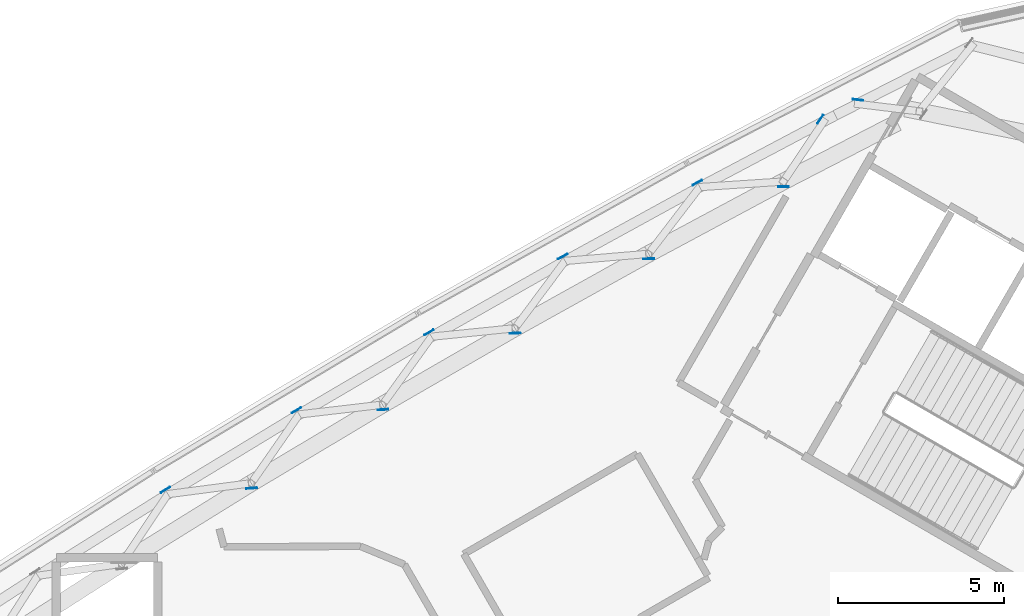
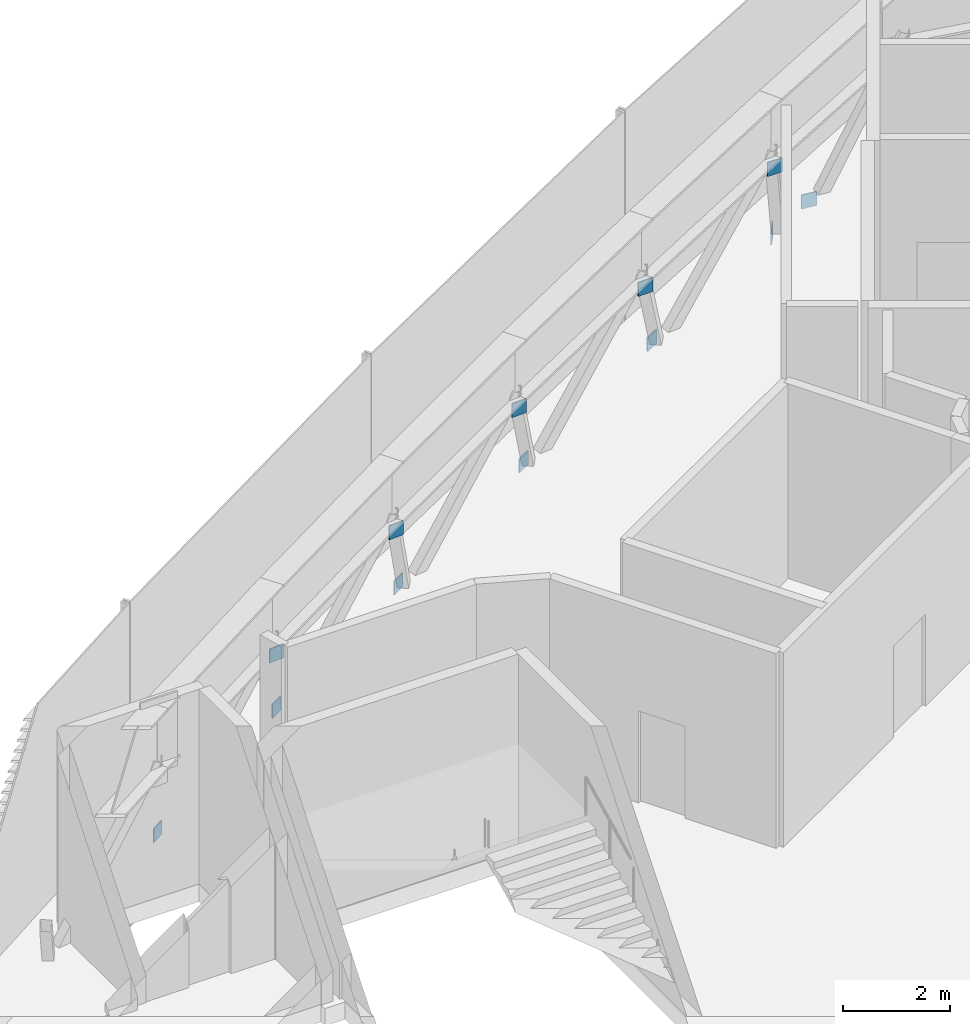
# One storey, part 10 of 18: 12 plates.
"""IFC4 building model written with IfcOpenShell, lengths in metres."""

from ifc_helpers import new_model, si_unit, direction, frame, origin, origin_2d, place, context, subcontext, project, spatial, rectangle, extrude, material, layer, layer_set, type_object, element, save


model = new_model("IFC4")

# Units and contexts
model_context = context("Model", 3, precision=1e-05, world=origin(), true_north=direction((0.0, 1.0)))
body_context = subcontext(model_context, "Body", "Model", "MODEL_VIEW")
ifc_project = project(units=[si_unit("LENGTHUNIT", "METRE"), si_unit("AREAUNIT", "SQUARE_METRE"), si_unit("VOLUMEUNIT", "CUBIC_METRE"), si_unit("PLANEANGLEUNIT", "RADIAN"), si_unit("MASSUNIT", "GRAM", prefix="KILO")], contexts=[model_context])

# Site, building, storey
site_placement = place(None, origin())
site = spatial("IfcSite", under=ifc_project, at=site_placement, CompositionType="ELEMENT")
building_placement = place(site_placement, origin())
building = spatial("IfcBuilding", under=site, at=building_placement, Name="Tamra Quay Hotel Tower", CompositionType="ELEMENT")
storey_placement = place(building_placement, frame((0.0, 0.0, 257.39990234375)))
storey = spatial("IfcBuildingStorey", under=building, at=storey_placement, Name="L65", CompositionType="ELEMENT", Elevation=257.39990234375)

# Plates
ifc_material = material(Name="Structural steel IS 2062 E350", Category="steel")
ifc_layer = layer(ifc_material, 0.02490234375)
ifc_layer_set = layer_set([ifc_layer], Name="BRACE END PLATE 25")
plate_type = type_object("IfcPlateType", Name="BRACE END PLATE 25", PredefinedType="SHEET", material=ifc_layer_set)
for number, where, z_axis, x_axis, name in (
    (1, (-0.326904296875, 19.0751953125, -0.39990234375), (0.0, 0.0, 1.0), (-0.472061555739, 0.881565588935, 0.0), "BEP-L65-010"),
    (2, (-4.385009765625, 16.85009765625, -0.39990234375), (0.0, 0.0, 1.0), (-0.48611423692, 0.873895273281, 0.0), "BEP-L65-011"),
    (3, (-8.40966796875, 14.56591796875, -0.39990234375), (0.0, 0.0, 1.0), (-0.499995465495, 0.866028021766, 0.0), "BEP-L65-012"),
    (4, (-12.400146484375, 12.22265625, -0.39990234375), (0.0, 0.0, 1.0), (-0.513767372694, 0.857929534842, 0.0), "BEP-L65-013"),
    (5, (-16.35595703125, 9.82080078125, -0.39990234375), (0.0, 0.0, 1.0), (-0.52742148591, 0.849603776004, 0.0), "BEP-L65-014"),
    (6, (4.51416015625, 21.569580078125, -0.39990234375), (0.0, 0.0, 1.0), (0.119656870119, 0.992815306809, 0.0), "BEP-L65-027"),
    (7, (3.376220703125, 20.988037109375, -0.39990234375), (0.0, 0.0, 1.0), (-0.830302260576, 0.557313337434, 0.0), "BEP-L65-028"),
    (8, (2.26318359375, 18.95654296875, 2.72998046875), (0.0, 0.0, 1.0), (0.000663225067, 0.999999780066, 0.0), "BEP-L65-040"),
    (9, (-1.79248046875, 16.780517578125, 2.72998046875), (0.0, 0.0, 1.0), (-0.029530168048, 0.999563889491, 0.0), "BEP-L65-041"),
    (10, (-5.8154296875, 14.539794921875, 2.72998046875), (0.0, 0.0, 1.0), (-0.044738794659, 0.998998718844, 0.0), "BEP-L65-042"),
    (11, (-9.802978515625, 12.236083984375, 2.72998046875), (0.0, 0.0, 1.0), (-0.059921379063, 0.99820309974, 0.0), "BEP-L65-043"),
    (12, (-13.75390625, 9.870849609375, 2.72998046875), (0.0, 0.0, 1.0), (-0.07512840179, 0.997173868112, 0.0), "BEP-L65-044"),
):
    element("IfcPlate", number, at=place(storey_placement, frame(where, z_axis=z_axis, x_axis=x_axis)), inside=storey, type_object=plate_type, Name=name, PredefinedType="SHEET", context=body_context, shape_type="SweptSolid", body=[
        extrude(rectangle(XDim=0.02490234375, YDim=0.320068359375, at=origin_2d()), origin(), (0.0, 0.0, 1.0), 0.320068359375),
    ])

save(model, "model.ifc")
